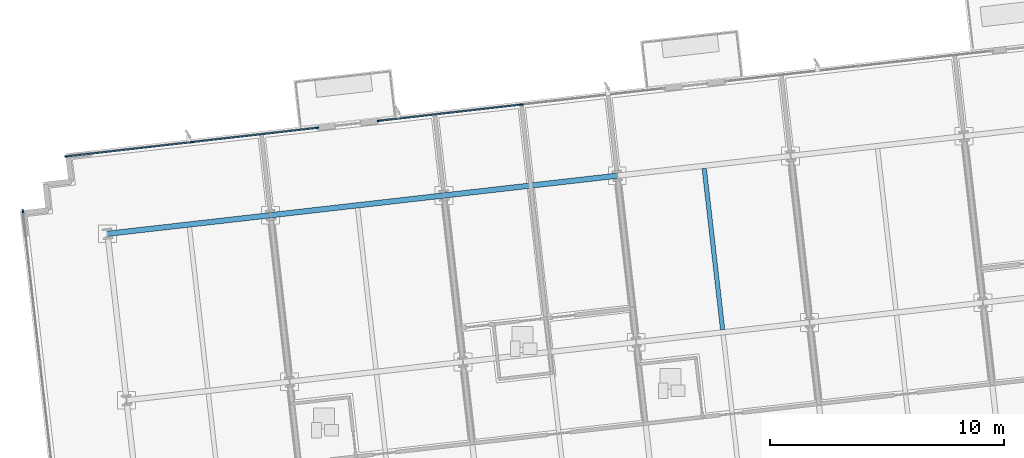
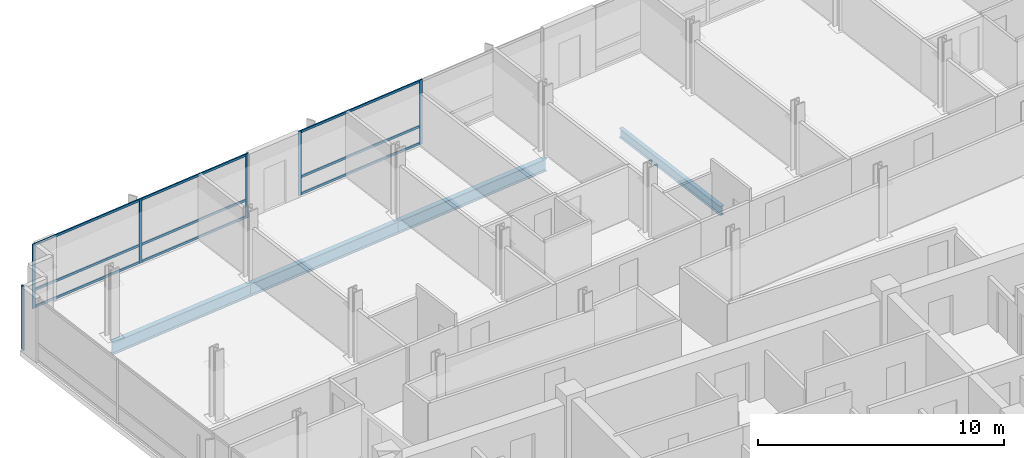
# One storey, part 6 of 16: 15 members, 4 beams, 3 elements without a shape of their own.
"""IFC4 building model written with IfcOpenShell, lengths in metres."""

import ifcopenshell
import ifcopenshell.guid

model = None  # the IFC model being written
_history = None  # IfcOwnerHistory: only IFC2X3 demands one
_inside = {}  # id of a spatial element -> (the spatial element, [elements in it])
_under = {}  # id of a project, library or spatial element -> (it, [spatial elements below it])
_declared = {}  # id of a project -> (the project, [libraries it declares])
_typed = {}  # id of a type object -> (the type object, [elements of that type])
_made_of = {}  # id of a material, layer set ... -> (it, [elements and type objects made of it])


def new_model(schema):
    """Start an empty IFC model of exactly this schema.

    Asked for "IFC4X3", IfcOpenShell would pick the latest addendum, in which some entities
    have other attributes; the version numbers below select the first issue.
    IFC2X3 requires an IfcOwnerHistory on every rooted entity: one is made here for all.
    """
    global model, _history
    if schema == "IFC4X3":
        model = ifcopenshell.file(schema_version=(4, 3, 0, 0))
    else:
        model = ifcopenshell.file(schema=schema)
    _inside.clear()
    _under.clear()
    _declared.clear()
    _typed.clear()
    _made_of.clear()
    _history = None
    if model.schema == "IFC2X3":
        org = make("IfcOrganization", Name="unknown")
        user = make(
            "IfcPersonAndOrganization",
            ThePerson=make("IfcPerson", FamilyName="unknown"),
            TheOrganization=org,
        )
        app = make(
            "IfcApplication",
            ApplicationDeveloper=org,
            Version="unknown",
            ApplicationFullName="unknown",
            ApplicationIdentifier="unknown",
        )
        _history = make(
            "IfcOwnerHistory",
            OwningUser=user,
            OwningApplication=app,
            ChangeAction="ADDED",
            CreationDate=0,
        )
    return model


def make(cls, **values):
    """One entity of the class cls with the attributes given. An attribute that is None is left unset."""
    return model.create_entity(
        cls, **{name: value for name, value in values.items() if value is not None}
    )


def rooted(cls, **values):
    """An entity with a GlobalId (a new one), such as an element, a storey or a relation."""
    return make(cls, GlobalId=ifcopenshell.guid.new(), OwnerHistory=_history, **values)


def si_unit(unit_type, name, prefix=None):
    """IfcSIUnit, for example si_unit("LENGTHUNIT", "METRE", prefix="MILLI")."""
    return make("IfcSIUnit", UnitType=unit_type, Prefix=prefix, Name=name)


def assignment(units):
    """IfcUnitAssignment: the units of a project."""
    return None if units is None else make("IfcUnitAssignment", Units=units)


def point(xyz):
    """IfcCartesianPoint."""
    return None if xyz is None else make("IfcCartesianPoint", Coordinates=xyz)


def direction(xyz):
    """IfcDirection."""
    return None if xyz is None else make("IfcDirection", DirectionRatios=xyz)


def frame(location, z_axis=None, x_axis=None):
    """IfcAxis2Placement3D, a coordinate frame: its origin and axes. An axis left out is left unset."""
    return make(
        "IfcAxis2Placement3D",
        Location=point(location),
        Axis=direction(z_axis),
        RefDirection=direction(x_axis),
    )


def frame_2d(location, x_axis=None):
    """IfcAxis2Placement2D, a coordinate frame in the plane: its origin and x axis."""
    return make(
        "IfcAxis2Placement2D", Location=point(location), RefDirection=direction(x_axis)
    )


def origin():
    """The frame at (0, 0, 0) with its axes left unset."""
    return frame((0.0, 0.0, 0.0))


def origin_2d():
    """The frame at (0, 0) in the plane with its x axis left unset."""
    return frame_2d((0.0, 0.0))


def place(relative_to, where):
    """IfcLocalPlacement: puts the frame where relative to a parent placement (None: the world)."""
    return make(
        "IfcLocalPlacement", PlacementRelTo=relative_to, RelativePlacement=where
    )


def context(
    kind, dimensions, precision=None, world=None, true_north=None, identifier=None
):
    """IfcGeometricRepresentationContext, for example the 3D "Model" context."""
    return make(
        "IfcGeometricRepresentationContext",
        ContextIdentifier=identifier,
        ContextType=kind,
        CoordinateSpaceDimension=dimensions,
        Precision=precision,
        WorldCoordinateSystem=world,
        TrueNorth=true_north,
    )


def subcontext(parent, identifier, kind, view, scale=None):
    """IfcGeometricRepresentationSubContext, for example "Body" below "Model"."""
    return make(
        "IfcGeometricRepresentationSubContext",
        ContextIdentifier=identifier,
        ContextType=kind,
        ParentContext=parent,
        TargetScale=scale,
        TargetView=view,
    )


def project(units=None, contexts=None):
    """IfcProject with its units and contexts."""
    return rooted(
        "IfcProject",
        Name="project",
        RepresentationContexts=contexts,
        UnitsInContext=assignment(units),
    )


def spatial(cls, under=None, at=None, **own):
    """A site, building, storey or space (cls), placed at a placement, below another one or the project."""
    s = rooted(cls, ObjectPlacement=at, **own)
    if under is not None:
        _under.setdefault(under.id(), (under, []))[1].append(s)
    return s


def profile(cls, at=None, kind="AREA", **sizes):
    """A parametric profile (cls). Its sizes go by their IFC names, for example OverallWidth=200.0."""
    return make(cls, ProfileType=kind, Position=at, **sizes)


def rectangle(**sizes):
    """IfcRectangleProfileDef."""
    return profile("IfcRectangleProfileDef", **sizes)


def i_section(**sizes):
    """IfcIShapeProfileDef."""
    return profile("IfcIShapeProfileDef", **sizes)


def extrude(swept, where, along, depth):
    """IfcExtrudedAreaSolid: the profile swept, set in the frame where, extruded along a direction by depth."""
    return make(
        "IfcExtrudedAreaSolid",
        SweptArea=swept,
        Position=where,
        ExtrudedDirection=direction(along),
        Depth=depth,
    )


def shape(context_of_items, identifier, shape_type, items):
    """IfcShapeRepresentation: the items that make up one representation, for example the "Body"."""
    return make(
        "IfcShapeRepresentation",
        ContextOfItems=context_of_items,
        RepresentationIdentifier=identifier,
        RepresentationType=shape_type,
        Items=items,
    )


def material(Name=None, Category=None):
    """IfcMaterial."""
    return make("IfcMaterial", Name=Name, Category=Category)


def material_profile(
    of_material, cross_section, Name=None, Category=None, Priority=None
):
    """IfcMaterialProfile: a cross section and its material."""
    return make(
        "IfcMaterialProfile",
        Name=Name,
        Material=of_material,
        Profile=cross_section,
        Priority=Priority,
        Category=Category,
    )


def profile_set(profiles, Name=None, composite=None):
    """IfcMaterialProfileSet."""
    return make(
        "IfcMaterialProfileSet",
        Name=Name,
        MaterialProfiles=profiles,
        CompositeProfile=composite,
    )


def made_of(thing, what):
    """Note that an element or type object is made of a material, layer set ...; save() writes the relation."""
    if what is not None:
        _made_of.setdefault(what.id(), (what, []))[1].append(thing)
    return thing


def type_object(cls, material=None, **own):
    """A type object (cls), such as IfcWallType, which elements share."""
    return made_of(rooted(cls, **own), material)


def element(
    cls,
    number,
    at=None,
    inside=None,
    cuts=None,
    type_object=None,
    material=None,
    context=None,
    identifier="Body",
    shape_type=None,
    held_by="IfcProductDefinitionShape",
    body=None,
    shapes=None,
    **own,
):
    """One element of the class cls, such as IfcWall. Its Tag is "e" and its number.

    at: its placement. inside: the storey or other place that contains it. cuts: it is an
    opening in that element (IfcRelVoidsElement). A single representation is given by context,
    identifier, shape_type and body (its items); several are given by shapes. held_by: the class
    of the entity that holds the representations. save() writes the other relations.
    """
    e = rooted(cls, Tag="e%d" % number, ObjectPlacement=at, **own)
    if body is not None:
        shapes = [shape(context, identifier, shape_type, body)]
    if shapes is not None:
        e.Representation = make(held_by, Representations=shapes)
    if inside is not None:
        _inside.setdefault(inside.id(), (inside, []))[1].append(e)
    if cuts is not None:
        rooted(
            "IfcRelVoidsElement", RelatingBuildingElement=cuts, RelatedOpeningElement=e
        )
    if type_object is not None:
        _typed.setdefault(type_object.id(), (type_object, []))[1].append(e)
    return made_of(e, material)


def aggregate(whole, parts):
    """IfcRelAggregates: a whole, such as a stair, and the parts it consists of."""
    return rooted("IfcRelAggregates", RelatingObject=whole, RelatedObjects=parts)


def save(model, path):
    """Write the relations noted so far, then the file.

    IfcRelAggregates (storeys below a building ...), IfcRelContainedInSpatialStructure (elements
    in a storey), IfcRelDefinesByType, IfcRelAssociatesMaterial and IfcRelDeclares: one each for
    every whole, place, type object, material and project.
    """
    for whole, parts in _under.values():
        aggregate(whole, parts)
    for where, things in _inside.values():
        rooted(
            "IfcRelContainedInSpatialStructure",
            RelatedElements=things,
            RelatingStructure=where,
        )
    for kind, things in _typed.values():
        rooted("IfcRelDefinesByType", RelatedObjects=things, RelatingType=kind)
    for what, things in _made_of.values():
        rooted("IfcRelAssociatesMaterial", RelatedObjects=things, RelatingMaterial=what)
    for by, libraries in _declared.values():
        rooted("IfcRelDeclares", RelatingContext=by, RelatedDefinitions=libraries)
    model.write(path)


model = new_model("IFC4")

# Units and contexts
model_context = context("Model", 3, precision=1e-05, world=origin(), true_north=direction((0.0, 1.0)))
body_context = subcontext(model_context, "Body", "Model", "MODEL_VIEW")
ifc_project = project(units=[si_unit("LENGTHUNIT", "METRE"), si_unit("AREAUNIT", "SQUARE_METRE"), si_unit("VOLUMEUNIT", "CUBIC_METRE"), si_unit("PLANEANGLEUNIT", "RADIAN"), si_unit("MASSUNIT", "GRAM", prefix="KILO")], contexts=[model_context])

# Site, building, storey
site_placement = place(None, origin())
site = spatial("IfcSite", under=ifc_project, at=site_placement, CompositionType="ELEMENT")
building_placement = place(site_placement, origin())
building = spatial("IfcBuilding", under=site, at=building_placement, Name="Solmavex Isthmus Hotel", CompositionType="ELEMENT")
storey_placement = place(building_placement, frame((0.0, 0.0, 215.85009765625)))
storey = spatial("IfcBuildingStorey", under=building, at=storey_placement, Name="L58", CompositionType="ELEMENT", Elevation=215.85009765625)

# Beams
ifc_material_1 = material(Name="Steel ASTM A992 Grade 50", Category="steel")
ifc_material_profile_1 = material_profile(ifc_material_1, i_section(OverallWidth=0.1904296875, OverallDepth=0.456787109375, WebThickness=0.009033203125, FlangeThickness=0.014404296875, FilletRadius=0.0126953125, at=origin_2d()), Name="W18X50")
ifc_profile_set_1 = profile_set([ifc_material_profile_1], Name="Steel ASTM A992 Grade 50")
beam_type_1 = type_object("IfcBeamType", Name="BM-BJ-W18X50", PredefinedType="JOIST", material=ifc_profile_set_1)
beam_1_placement = place(storey_placement, frame((7.009033203125, 10.1328125, -0.488525390625), z_axis=(-0.113202453846, 0.993571942258, 0.0), x_axis=(-0.993571942258, -0.113202453846, 0.0)))
element("IfcBeam", 1, at=beam_1_placement, inside=storey, type_object=beam_type_1, Name="Secondary Floor Joist L58-J14", PredefinedType="JOIST", context=body_context, shape_type="SweptSolid", body=[
    extrude(i_section(OverallWidth=0.1904296875, OverallDepth=0.456787109375, WebThickness=0.009033203125, FlangeThickness=0.014404296875, FilletRadius=0.0126953125, at=origin_2d()), origin(), (0.0, 0.0, 1.0), 6.9228515625),
])
ifc_material_profile_2 = material_profile(ifc_material_1, i_section(OverallWidth=0.230224609375, OverallDepth=0.617431640625, WebThickness=0.01318359375, FlangeThickness=0.022216796875, FilletRadius=0.01513671875, at=origin_2d()), Name="W24X94")
ifc_profile_set_2 = profile_set([ifc_material_profile_2], Name="Steel ASTM A992 Grade 50")
beam_type_2 = type_object("IfcBeamType", Name="BM-SP-W24X94", PredefinedType="SPANDREL", material=ifc_profile_set_2)
beam_2_placement = place(storey_placement, frame((-19.245849609375, 14.22509765625, -0.56884765625), z_axis=(0.99357359356, 0.113187959519, 0.0), x_axis=(-0.113187959519, 0.99357359356, 0.0)))
element("IfcBeam", 2, at=beam_2_placement, inside=storey, type_object=beam_type_2, Name="Floor Girder L58-UG18", PredefinedType="SPANDREL", context=body_context, shape_type="SweptSolid", body=[
    extrude(i_section(OverallWidth=0.230224609375, OverallDepth=0.617431640625, WebThickness=0.01318359375, FlangeThickness=0.022216796875, FilletRadius=0.01513671875, at=origin_2d()), origin(), (0.0, 0.0, 1.0), 7.0078125),
])
beam_3_placement = place(storey_placement, frame((-12.282958984375, 15.018310546875, -0.56884765625), z_axis=(0.9935703463, 0.113216460607, 0.0), x_axis=(-0.113216460607, 0.9935703463, 0.0)))
element("IfcBeam", 3, at=beam_3_placement, inside=storey, type_object=beam_type_2, Name="Floor Girder L58-UG19", PredefinedType="SPANDREL", context=body_context, shape_type="SweptSolid", body=[
    extrude(i_section(OverallWidth=0.230224609375, OverallDepth=0.617431640625, WebThickness=0.01318359375, FlangeThickness=0.022216796875, FilletRadius=0.01513671875, at=origin_2d()), origin(), (0.0, 0.0, 1.0), 7.446044921875),
])
beam_4_placement = place(storey_placement, frame((-4.884765625, 15.861328125, -0.56884765625), z_axis=(0.993573613989, 0.113187780196, 0.0), x_axis=(-0.113187780196, 0.993573613989, 0.0)))
element("IfcBeam", 4, at=beam_4_placement, inside=storey, type_object=beam_type_2, Name="Floor Girder L58-UG20", PredefinedType="SPANDREL", context=body_context, shape_type="SweptSolid", body=[
    extrude(i_section(OverallWidth=0.230224609375, OverallDepth=0.617431640625, WebThickness=0.01318359375, FlangeThickness=0.022216796875, FilletRadius=0.01513671875, at=origin_2d()), origin(), (0.0, 0.0, 1.0), 7.44580078125),
])

# Curtain wall, members
ifc_material_2 = material(Name="Aluminium alloy 6063-T6", Category="aluminium")
curtain_wall_type = type_object("IfcCurtainWallType", Name="CW-SYS-06", PredefinedType="NOTDEFINED", material=ifc_material_2)
curtain_wall_1_placement = place(storey_placement, origin())
curtain_wall_1 = element("IfcCurtainWall", 5, at=curtain_wall_1_placement, inside=storey, type_object=curtain_wall_type, Name="Stick Curtain Wall CWL-L58-N1", PredefinedType="NOTDEFINED")
ifc_material_profile_3 = material_profile(ifc_material_2, rectangle(XDim=0.06005859375, YDim=0.139892578125, at=origin_2d()), Name="CWM-60X140")
ifc_profile_set_3 = profile_set([ifc_material_profile_3], Name="Aluminium alloy 6063-T6")
member_type_1 = type_object("IfcMemberType", Name="CW-SYS-06-MUL", PredefinedType="MULLION", material=ifc_profile_set_3)
member_1_placement = place(storey_placement, frame((-21.0009765625, 17.527587890625, 0.0), z_axis=(0.0, 0.0, 1.0), x_axis=(-0.113202814871, 0.993571901125, 0.0)))
member_1 = element("IfcMember", 6, at=member_1_placement, type_object=member_type_1, Name="CW-06 mullion 1", PredefinedType="MULLION", context=body_context, shape_type="SweptSolid", body=[
    extrude(rectangle(XDim=0.06005859375, YDim=0.139892578125, at=origin_2d()), origin(), (0.0, 0.0, 1.0), 3.18994140625),
])
member_2_placement = place(storey_placement, frame((-15.650146484375, 18.13720703125, 0.0), z_axis=(0.0, 0.0, 1.0), x_axis=(-0.113202814871, 0.993571901125, 0.0)))
member_2 = element("IfcMember", 7, at=member_2_placement, type_object=member_type_1, Name="CW-06 mullion 2", PredefinedType="MULLION", context=body_context, shape_type="SweptSolid", body=[
    extrude(rectangle(XDim=0.06005859375, YDim=0.139892578125, at=origin_2d()), origin(), (0.0, 0.0, 1.0), 3.18994140625),
])
member_3_placement = place(storey_placement, frame((-10.29931640625, 18.746826171875, 0.0), z_axis=(0.0, 0.0, 1.0), x_axis=(-0.113202814871, 0.993571901125, 0.0)))
member_3 = element("IfcMember", 8, at=member_3_placement, type_object=member_type_1, Name="CW-06 mullion 3", PredefinedType="MULLION", context=body_context, shape_type="SweptSolid", body=[
    extrude(rectangle(XDim=0.06005859375, YDim=0.139892578125, at=origin_2d()), origin(), (0.0, 0.0, 1.0), 3.18994140625),
])

curtain_wall_2_placement = place(storey_placement, origin())
curtain_wall_2 = element("IfcCurtainWall", 9, at=curtain_wall_2_placement, inside=storey, type_object=curtain_wall_type, Name="Stick Curtain Wall CWL-L58-N2", PredefinedType="NOTDEFINED")
member_4_placement = place(storey_placement, frame((-7.656494140625, 19.048095703125, 0.0), z_axis=(0.0, 0.0, 1.0), x_axis=(-0.113202856801, 0.993571896348, 0.0)))
member_4 = element("IfcMember", 10, at=member_4_placement, type_object=member_type_1, Name="CW-06 mullion 1", PredefinedType="MULLION", context=body_context, shape_type="SweptSolid", body=[
    extrude(rectangle(XDim=0.06005859375, YDim=0.139892578125, at=origin_2d()), origin(), (0.0, 0.0, 1.0), 3.18994140625),
])
member_5_placement = place(storey_placement, frame((-1.579833984375, 19.740478515625, 0.0), z_axis=(0.0, 0.0, 1.0), x_axis=(-0.113202856801, 0.993571896348, 0.0)))
member_5 = element("IfcMember", 11, at=member_5_placement, type_object=member_type_1, Name="CW-06 mullion 2", PredefinedType="MULLION", context=body_context, shape_type="SweptSolid", body=[
    extrude(rectangle(XDim=0.06005859375, YDim=0.139892578125, at=origin_2d()), origin(), (0.0, 0.0, 1.0), 3.18994140625),
])

# Curtain wall, member
curtain_wall_3_placement = place(storey_placement, origin())
curtain_wall_3 = element("IfcCurtainWall", 12, at=curtain_wall_3_placement, inside=storey, type_object=curtain_wall_type, Name="Stick Curtain Wall CWL-L58-W1", PredefinedType="NOTDEFINED")
member_6_placement = place(storey_placement, frame((-22.858642578125, 15.1923828125, 0.0), z_axis=(0.0, 0.0, 1.0), x_axis=(-0.993571836648, -0.11320338078, 0.0)))
member_6 = element("IfcMember", 13, at=member_6_placement, type_object=member_type_1, Name="CW-06 mullion 6", PredefinedType="MULLION", context=body_context, shape_type="SweptSolid", body=[
    extrude(rectangle(XDim=0.06005859375, YDim=0.139892578125, at=origin_2d()), origin(), (0.0, 0.0, 1.0), 3.18994140625),
])
aggregate(curtain_wall_3, [member_6])

# Member
ifc_material_profile_4 = material_profile(ifc_material_2, rectangle(XDim=0.06005859375, YDim=0.114990234375, at=origin_2d()), Name="CWT-60X115")
ifc_profile_set_4 = profile_set([ifc_material_profile_4], Name="Aluminium alloy 6063-T6")
member_type_2 = type_object("IfcMemberType", Name="CW-SYS-06-TRN", PredefinedType="USERDEFINED", material=ifc_profile_set_4)
member_7_placement = place(storey_placement, frame((-20.97119140625, 17.531005859375, 0.057373046875), z_axis=(0.993573538786, 0.11318844033, 0.0), x_axis=(-0.11318844033, 0.993573538786, 0.0)))
member_7 = element("IfcMember", 14, at=member_7_placement, type_object=member_type_2, Name="CW-06 transom 1.1", ObjectType="TRANSOM", PredefinedType="USERDEFINED", context=body_context, shape_type="SweptSolid", body=[
    extrude(rectangle(XDim=0.06005859375, YDim=0.114990234375, at=origin_2d()), origin(), (0.0, 0.0, 1.0), 5.325439453125),
])

member_8_placement = place(storey_placement, frame((-20.97119140625, 17.531005859375, 0.89990234375), z_axis=(0.993573538786, 0.11318844033, 0.0), x_axis=(-0.11318844033, 0.993573538786, 0.0)))
member_8 = element("IfcMember", 15, at=member_8_placement, type_object=member_type_2, Name="CW-06 transom 1.2", ObjectType="TRANSOM", PredefinedType="USERDEFINED", context=body_context, shape_type="SweptSolid", body=[
    extrude(rectangle(XDim=0.06005859375, YDim=0.114990234375, at=origin_2d()), origin(), (0.0, 0.0, 1.0), 5.325439453125),
])

member_9_placement = place(storey_placement, frame((-20.97119140625, 17.531005859375, 3.13232421875), z_axis=(0.993573538786, 0.11318844033, 0.0), x_axis=(-0.11318844033, 0.993573538786, 0.0)))
member_9 = element("IfcMember", 16, at=member_9_placement, type_object=member_type_2, Name="CW-06 transom 1.3", ObjectType="TRANSOM", PredefinedType="USERDEFINED", context=body_context, shape_type="SweptSolid", body=[
    extrude(rectangle(XDim=0.06005859375, YDim=0.114990234375, at=origin_2d()), origin(), (0.0, 0.0, 1.0), 5.325439453125),
])

member_10_placement = place(storey_placement, frame((-15.620361328125, 18.140625, 0.057373046875), z_axis=(0.993573538786, 0.11318844033, 0.0), x_axis=(-0.11318844033, 0.993573538786, 0.0)))
member_10 = element("IfcMember", 17, at=member_10_placement, type_object=member_type_2, Name="CW-06 transom 2.1", ObjectType="TRANSOM", PredefinedType="USERDEFINED", context=body_context, shape_type="SweptSolid", body=[
    extrude(rectangle(XDim=0.06005859375, YDim=0.114990234375, at=origin_2d()), origin(), (0.0, 0.0, 1.0), 5.325439453125),
])

member_11_placement = place(storey_placement, frame((-15.620361328125, 18.140625, 0.89990234375), z_axis=(0.993573538786, 0.11318844033, 0.0), x_axis=(-0.11318844033, 0.993573538786, 0.0)))
member_11 = element("IfcMember", 18, at=member_11_placement, type_object=member_type_2, Name="CW-06 transom 2.2", ObjectType="TRANSOM", PredefinedType="USERDEFINED", context=body_context, shape_type="SweptSolid", body=[
    extrude(rectangle(XDim=0.06005859375, YDim=0.114990234375, at=origin_2d()), origin(), (0.0, 0.0, 1.0), 5.325439453125),
])

member_12_placement = place(storey_placement, frame((-15.620361328125, 18.140625, 3.13232421875), z_axis=(0.993573538786, 0.11318844033, 0.0), x_axis=(-0.11318844033, 0.993573538786, 0.0)))
member_12 = element("IfcMember", 19, at=member_12_placement, type_object=member_type_2, Name="CW-06 transom 2.3", ObjectType="TRANSOM", PredefinedType="USERDEFINED", context=body_context, shape_type="SweptSolid", body=[
    extrude(rectangle(XDim=0.06005859375, YDim=0.114990234375, at=origin_2d()), origin(), (0.0, 0.0, 1.0), 5.325439453125),
])

aggregate(curtain_wall_1, [member_1, member_2, member_3, member_7, member_8, member_9, member_10, member_11, member_12])

member_13_placement = place(storey_placement, frame((-7.626708984375, 19.051513671875, 0.057373046875), z_axis=(0.99357211414, 0.113200945245, 0.0), x_axis=(-0.113200945245, 0.99357211414, 0.0)))
member_13 = element("IfcMember", 20, at=member_13_placement, type_object=member_type_2, Name="CW-06 transom 1.1", ObjectType="TRANSOM", PredefinedType="USERDEFINED", context=body_context, shape_type="SweptSolid", body=[
    extrude(rectangle(XDim=0.06005859375, YDim=0.114990234375, at=origin_2d()), origin(), (0.0, 0.0, 1.0), 6.055908203125),
])

member_14_placement = place(storey_placement, frame((-7.626708984375, 19.051513671875, 0.89990234375), z_axis=(0.99357211414, 0.113200945245, 0.0), x_axis=(-0.113200945245, 0.99357211414, 0.0)))
member_14 = element("IfcMember", 21, at=member_14_placement, type_object=member_type_2, Name="CW-06 transom 1.2", ObjectType="TRANSOM", PredefinedType="USERDEFINED", context=body_context, shape_type="SweptSolid", body=[
    extrude(rectangle(XDim=0.06005859375, YDim=0.114990234375, at=origin_2d()), origin(), (0.0, 0.0, 1.0), 6.055908203125),
])

member_15_placement = place(storey_placement, frame((-7.626708984375, 19.051513671875, 3.13232421875), z_axis=(0.99357211414, 0.113200945245, 0.0), x_axis=(-0.113200945245, 0.99357211414, 0.0)))
member_15 = element("IfcMember", 22, at=member_15_placement, type_object=member_type_2, Name="CW-06 transom 1.3", ObjectType="TRANSOM", PredefinedType="USERDEFINED", context=body_context, shape_type="SweptSolid", body=[
    extrude(rectangle(XDim=0.06005859375, YDim=0.114990234375, at=origin_2d()), origin(), (0.0, 0.0, 1.0), 6.055908203125),
])

aggregate(curtain_wall_2, [member_4, member_5, member_13, member_14, member_15])

save(model, "model.ifc")
